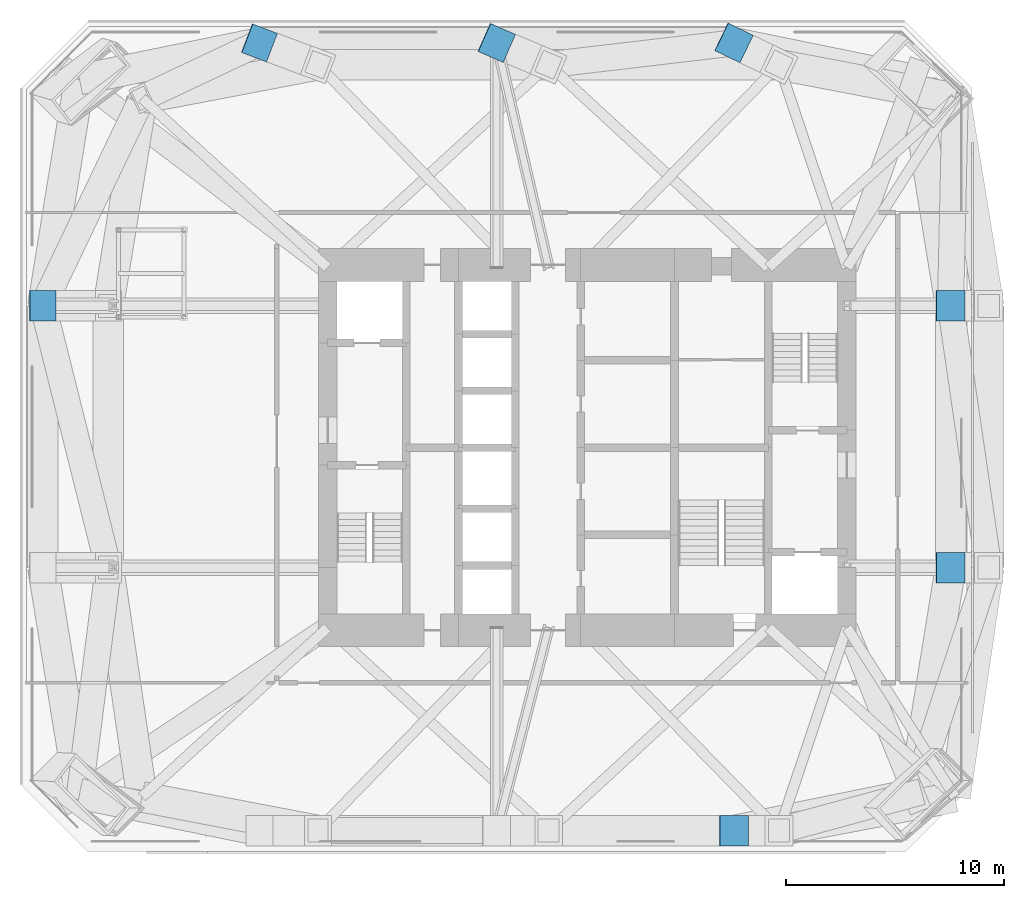
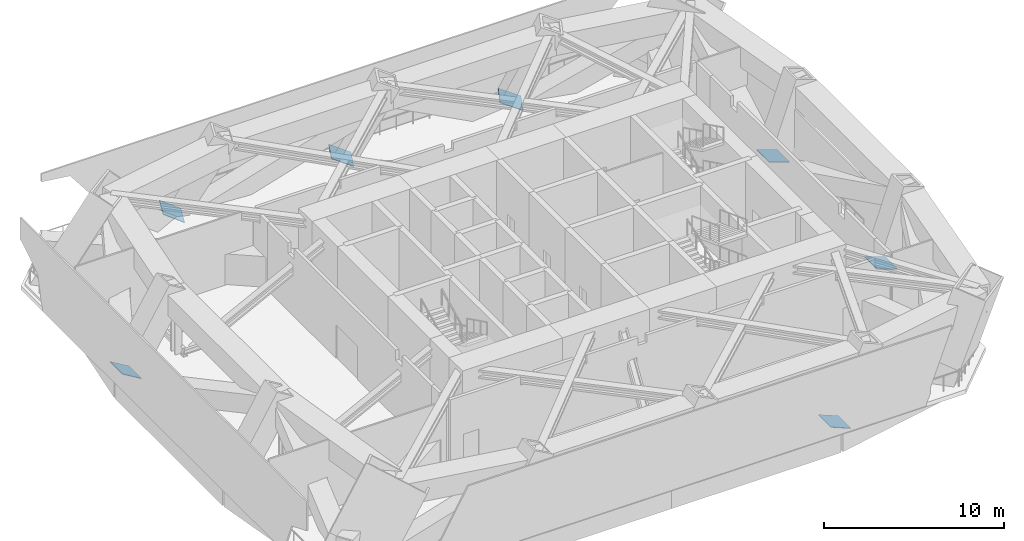
# One storey, part 8 of 11: 7 discrete accessories.
"""IFC4 building model written with IfcOpenShell, lengths in metres."""

from ifc_helpers import new_model, si_unit, direction, frame, origin, origin_2d, place, context, subcontext, project, spatial, rectangle, extrude, material, material_profile, profile_set, type_object, element, save


model = new_model("IFC4")

# Units and contexts
model_context = context("Model", 3, precision=1e-05, world=origin(), true_north=direction((0.0, 1.0)))
body_context = subcontext(model_context, "Body", "Model", "MODEL_VIEW")
ifc_project = project(units=[si_unit("LENGTHUNIT", "METRE"), si_unit("AREAUNIT", "SQUARE_METRE"), si_unit("VOLUMEUNIT", "CUBIC_METRE"), si_unit("PLANEANGLEUNIT", "RADIAN"), si_unit("MASSUNIT", "GRAM", prefix="KILO")], contexts=[model_context])

# Site, building, storey
site_placement = place(None, origin())
site = spatial("IfcSite", under=ifc_project, at=site_placement, CompositionType="ELEMENT")
building_placement = place(site_placement, origin())
building = spatial("IfcBuilding", under=site, at=building_placement, Name="Jalousie Tower", CompositionType="ELEMENT")
storey_placement = place(building_placement, frame((0.0, 0.0, 144.35009765625)))
storey = spatial("IfcBuildingStorey", under=building, at=storey_placement, Name="L39", CompositionType="ELEMENT", Elevation=144.35009765625)

# Discrete accessories
ifc_material = material(Name="Steel ASTM A572 Grade 50 plate", Category="steel")
ifc_material_profile = material_profile(ifc_material, rectangle(XDim=1.39990234375, YDim=1.39990234375, at=origin_2d()), Name="BRACE END PLATE 1400x1400x40")
ifc_profile_set = profile_set([ifc_material_profile], Name="Steel ASTM A572 Grade 50 plate")
discrete_accessory_type = type_object("IfcDiscreteAccessoryType", Name="BRACE END PLATE 1400x1400x40", PredefinedType="USERDEFINED", material=ifc_profile_set)
discrete_accessory_placement = place(storey_placement, frame((38.617431640625, 0.949951171875, -0.0185546875), z_axis=(0.379825245493, 0.0, 0.925058259185), x_axis=(0.0, 1.0, 0.0)))
element("IfcDiscreteAccessory", 1, at=discrete_accessory_placement, inside=storey, type_object=discrete_accessory_type, Name="Transfer truss T2 strut 04 L39 end plate 1", ObjectType="STRUT END PLATE", PredefinedType="USERDEFINED", context=body_context, shape_type="SweptSolid", body=[
    extrude(rectangle(XDim=1.39990234375, YDim=1.39990234375, at=origin_2d()), origin(), (0.0, 0.0, 1.0), 0.039794921875),
])
for number, where, z_axis, x_axis, name in (
    (2, (48.54345703125, 13.0, -0.01904296875), (0.328993186606, 0.0, 0.944332294887), (0.0, 1.0, 0.0), "Transfer truss T2 strut 06 L39 end plate 1"),
    (3, (48.54345703125, 25.0, -0.01904296875), (0.328993186606, 0.0, 0.944332294887), (0.0, 1.0, 0.0), "Transfer truss T2 strut 07 L39 end plate 1"),
    (4, (38.617431640625, 37.0537109375, -0.018310546875), (0.377704879585, -0.182760425606, 0.907710113841), (0.435560928104, 0.900159251416, 0.0), "Transfer truss T2 strut 09 L39 end plate 1"),
    (5, (27.74169921875, 37.0537109375, -0.017822265625), (0.415066475203, -0.18311756259, 0.891172137936), (0.403640206576, 0.914917801573, 0.0), "Transfer truss T2 strut 10 L39 end plate 1"),
):
    element("IfcDiscreteAccessory", number, at=place(storey_placement, frame(where, z_axis=z_axis, x_axis=x_axis)), inside=storey, type_object=discrete_accessory_type, Name=name, ObjectType="STRUT END PLATE", PredefinedType="USERDEFINED", context=body_context, shape_type="SweptSolid", body=[
        extrude(rectangle(XDim=1.39990234375, YDim=1.39990234375, at=origin_2d()), origin(), (0.0, 0.0, 1.0), 0.0400390625),
    ])
for number, where, z_axis, x_axis, name in (
    (6, (16.86572265625, 37.053466796875, -0.017333984375), (0.466881907311, -0.178152306737, 0.866188801722), (0.356506481981, 0.934292849328, 0.0), "Transfer truss T2 strut 11 L39 end plate 1"),
    (7, (6.939697265625, 25.0, -0.01708984375), (0.514495755428, 0.0, 0.857492925713), (0.0, 1.0, 0.0), "Transfer truss T2 strut 13 L39 end plate 1"),
):
    element("IfcDiscreteAccessory", number, at=place(storey_placement, frame(where, z_axis=z_axis, x_axis=x_axis)), inside=storey, type_object=discrete_accessory_type, Name=name, ObjectType="STRUT END PLATE", PredefinedType="USERDEFINED", context=body_context, shape_type="SweptSolid", body=[
        extrude(rectangle(XDim=1.39990234375, YDim=1.39990234375, at=origin_2d()), origin(), (0.0, 0.0, 1.0), 0.039794921875),
    ])

save(model, "model.ifc")
